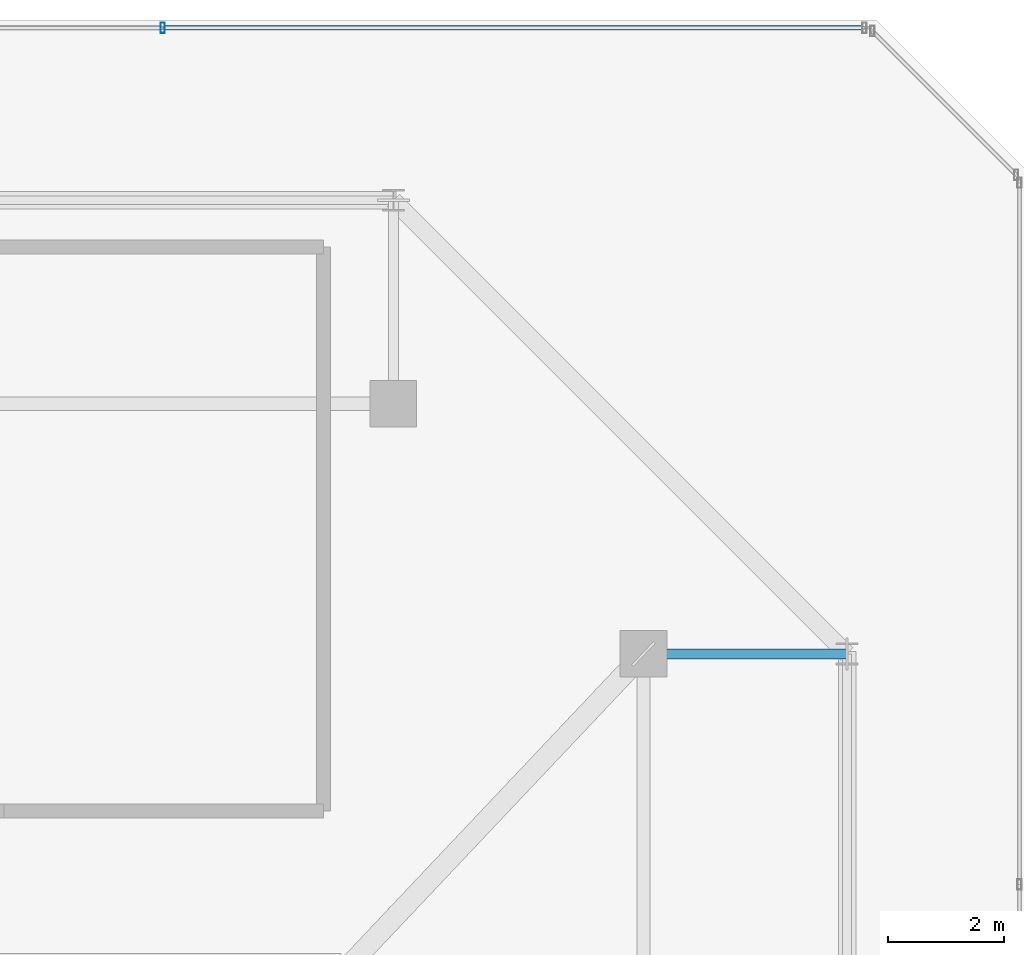
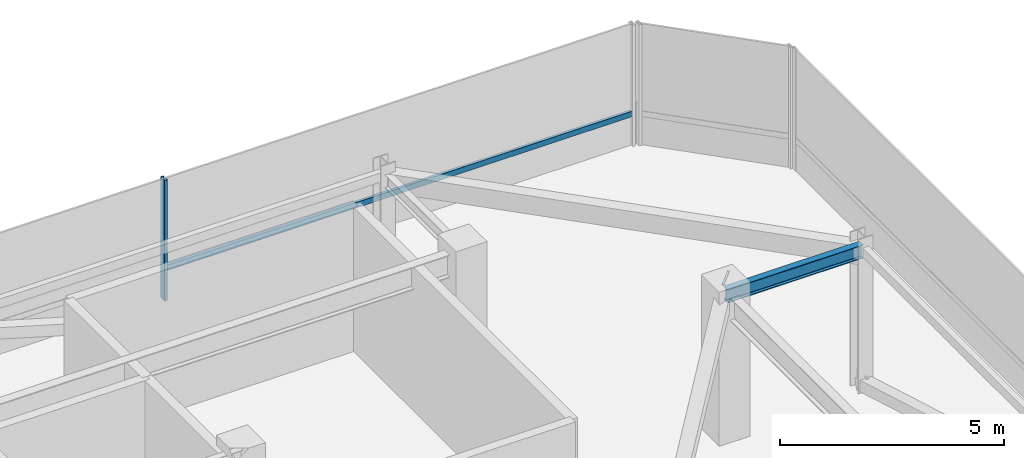
# One storey, part 33 of 47: 2 members, 1 beam, 1 element without a shape of its own.
"""IFC4 building model written with IfcOpenShell, lengths in metres."""

from ifc_helpers import new_model, si_unit, direction, frame, origin, origin_2d, place, context, subcontext, project, spatial, hollow_rectangle, i_section, extrude, material, material_profile, profile_set, type_object, element, aggregate, save


model = new_model("IFC4")

# Units and contexts
model_context = context("Model", 3, precision=1e-05, world=origin(), true_north=direction((0.0, 1.0)))
body_context = subcontext(model_context, "Body", "Model", "MODEL_VIEW")
ifc_project = project(units=[si_unit("LENGTHUNIT", "METRE"), si_unit("AREAUNIT", "SQUARE_METRE"), si_unit("VOLUMEUNIT", "CUBIC_METRE"), si_unit("PLANEANGLEUNIT", "RADIAN"), si_unit("MASSUNIT", "GRAM", prefix="KILO")], contexts=[model_context])

# Site, building, storey
site_placement = place(None, origin())
site = spatial("IfcSite", under=ifc_project, at=site_placement, CompositionType="ELEMENT")
building_placement = place(site_placement, origin())
building = spatial("IfcBuilding", under=site, at=building_placement, Name="Thornwick Lancets Civic Towers", CompositionType="ELEMENT")
storey_placement = place(building_placement, frame((0.0, 0.0, 279.89990234375)))
storey = spatial("IfcBuildingStorey", under=building, at=storey_placement, Name="C01", CompositionType="ELEMENT", Elevation=279.89990234375)

# Beam
ifc_material_1 = material(Name="Steel S355JR", Category="steel")
ifc_material_profile_1 = material_profile(ifc_material_1, i_section(OverallWidth=0.173095703125, OverallDepth=0.36328125, WebThickness=0.009033203125, FlangeThickness=0.015625, FilletRadius=0.01025390625, at=origin_2d()), Name="UKB 356x171x67")
ifc_profile_set_1 = profile_set([ifc_material_profile_1], Name="Steel S355JR")
beam_type = type_object("IfcBeamType", Name="BM_JOIST_356_67", PredefinedType="JOIST", material=ifc_profile_set_1)
beam_placement = place(storey_placement, frame((105.800048828125, 40.0, 3.75830078125), z_axis=(1.0, 0.0, 0.0), x_axis=(0.0, 1.0, 0.0)))
element("IfcBeam", 1, at=beam_placement, inside=storey, type_object=beam_type, Name="BM-RAD-C01-B03", PredefinedType="JOIST", context=body_context, shape_type="SweptSolid", body=[
    extrude(i_section(OverallWidth=0.173095703125, OverallDepth=0.36328125, WebThickness=0.009033203125, FlangeThickness=0.015625, FilletRadius=0.01025390625, at=origin_2d()), origin(), (0.0, 0.0, 1.0), 3.5),
])

# Curtain wall, members
ifc_material_2 = material(Name="Crown ring acoustic-louvre and glazing screen wall", Category="glass")
curtain_wall_type = type_object("IfcCurtainWallType", Name="CW_SYS_07", PredefinedType="NOTDEFINED", material=ifc_material_2)
curtain_wall_placement = place(storey_placement, origin())
curtain_wall = element("IfcCurtainWall", 2, at=curtain_wall_placement, inside=storey, type_object=curtain_wall_type, Name="C01 Curtain Wall CW-C01-B-E4", PredefinedType="NOTDEFINED")
ifc_material_3 = material(Name="Thermally broken bronze aluminium S355", Category="steel")
ifc_material_profile_2 = material_profile(ifc_material_3, hollow_rectangle(XDim=0.074951171875, YDim=0.179931640625, WallThickness=0.006103515625, at=origin_2d()), Name="RHS 180x75x6")
ifc_profile_set_2 = profile_set([ifc_material_profile_2], Name="Thermally broken bronze aluminium S355")
member_type_1 = type_object("IfcMemberType", Name="CW_MUL_180", PredefinedType="MULLION", material=ifc_profile_set_2)
member_1_placement = place(storey_placement, frame((97.53369140625, 50.7646484375, 0.0), z_axis=(0.0, 0.0, 1.0), x_axis=(1.0, 0.0, 0.0)))
member_1 = element("IfcMember", 3, at=member_1_placement, type_object=member_type_1, Name="CW-C01-B-E4 Mullion 1", PredefinedType="MULLION", context=body_context, shape_type="SweptSolid", body=[
    extrude(hollow_rectangle(XDim=0.074951171875, YDim=0.179931640625, WallThickness=0.006103515625, at=origin_2d()), origin(), (0.0, 0.0, 1.0), 3.300048828125),
])
ifc_material_profile_3 = material_profile(ifc_material_3, hollow_rectangle(XDim=0.074951171875, YDim=0.14990234375, WallThickness=0.0048828125, at=origin_2d()), Name="RHS 150x75x5")
ifc_profile_set_3 = profile_set([ifc_material_profile_3], Name="Thermally broken bronze aluminium S355")
member_type_2 = type_object("IfcMemberType", Name="CW_TRN_150", PredefinedType="USERDEFINED", material=ifc_profile_set_3)
member_2_placement = place(storey_placement, frame((109.581298828125, 50.7646484375, 0.85009765625), z_axis=(-1.0, 0.0, 0.0), x_axis=(0.0, -1.0, 0.0)))
member_2 = element("IfcMember", 4, at=member_2_placement, type_object=member_type_2, Name="CW-C01-B-E4 Transom 0", ObjectType="TRANSOM", PredefinedType="USERDEFINED", context=body_context, shape_type="SweptSolid", body=[
    extrude(hollow_rectangle(XDim=0.074951171875, YDim=0.14990234375, WallThickness=0.0048828125, at=origin_2d()), origin(), (0.0, 0.0, 1.0), 12.027587890625),
])
aggregate(curtain_wall, [member_1, member_2])

save(model, "model.ifc")
